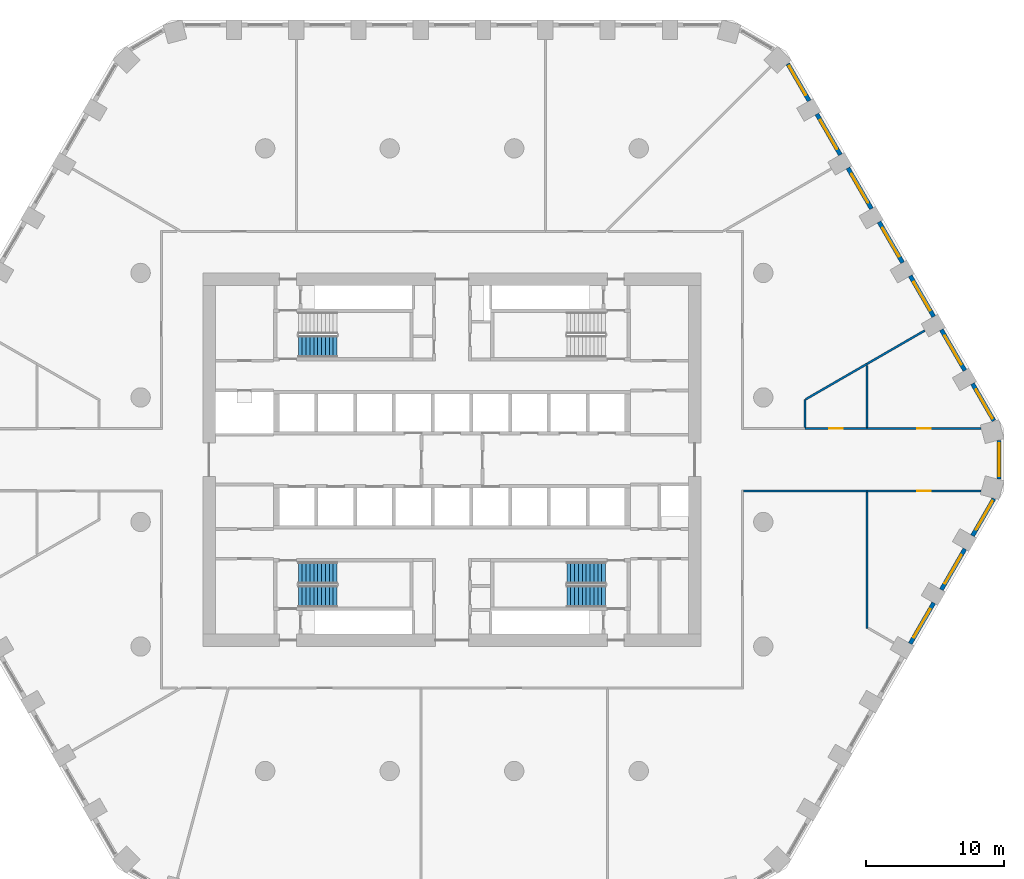
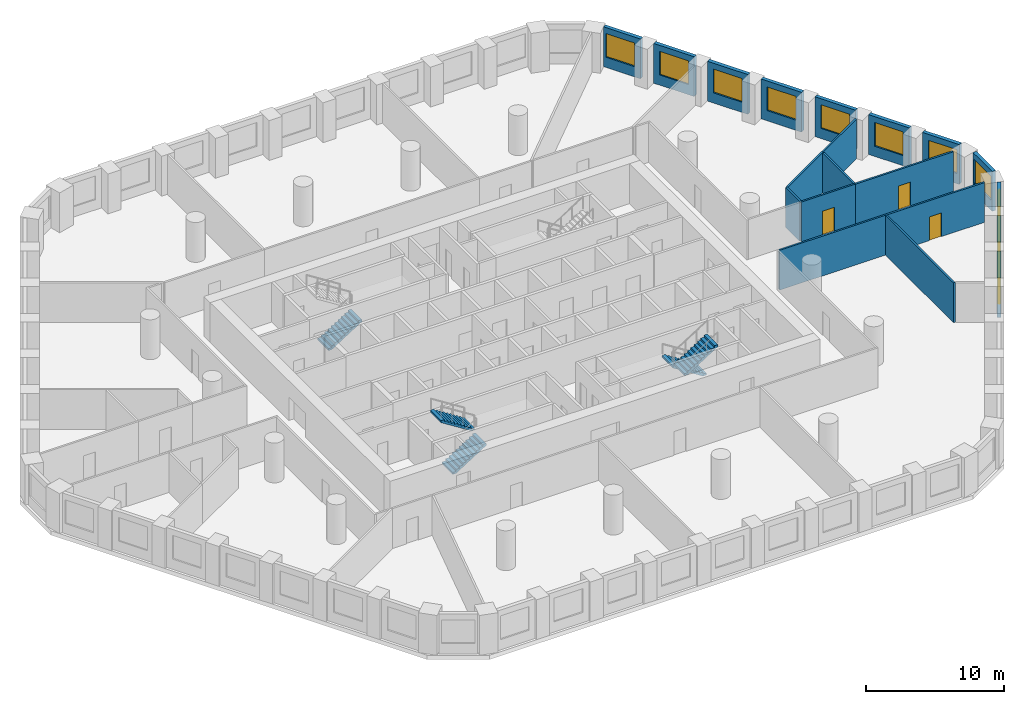
# One storey, part 8 of 10: 20 walls, 11 windows, 5 stair flights, 3 doors, 14 openings, 3 elements without a shape of their own.
"""IFC4 building model written with IfcOpenShell, lengths in metres."""

import ifcopenshell
import ifcopenshell.guid

model = None  # the IFC model being written
_history = None  # IfcOwnerHistory: only IFC2X3 demands one
_inside = {}  # id of a spatial element -> (the spatial element, [elements in it])
_under = {}  # id of a project, library or spatial element -> (it, [spatial elements below it])
_declared = {}  # id of a project -> (the project, [libraries it declares])
_typed = {}  # id of a type object -> (the type object, [elements of that type])
_made_of = {}  # id of a material, layer set ... -> (it, [elements and type objects made of it])


def new_model(schema):
    """Start an empty IFC model of exactly this schema.

    Asked for "IFC4X3", IfcOpenShell would pick the latest addendum, in which some entities
    have other attributes; the version numbers below select the first issue.
    IFC2X3 requires an IfcOwnerHistory on every rooted entity: one is made here for all.
    """
    global model, _history
    if schema == "IFC4X3":
        model = ifcopenshell.file(schema_version=(4, 3, 0, 0))
    else:
        model = ifcopenshell.file(schema=schema)
    _inside.clear()
    _under.clear()
    _declared.clear()
    _typed.clear()
    _made_of.clear()
    _history = None
    if model.schema == "IFC2X3":
        org = make("IfcOrganization", Name="unknown")
        user = make(
            "IfcPersonAndOrganization",
            ThePerson=make("IfcPerson", FamilyName="unknown"),
            TheOrganization=org,
        )
        app = make(
            "IfcApplication",
            ApplicationDeveloper=org,
            Version="unknown",
            ApplicationFullName="unknown",
            ApplicationIdentifier="unknown",
        )
        _history = make(
            "IfcOwnerHistory",
            OwningUser=user,
            OwningApplication=app,
            ChangeAction="ADDED",
            CreationDate=0,
        )
    return model


def make(cls, **values):
    """One entity of the class cls with the attributes given. An attribute that is None is left unset."""
    return model.create_entity(
        cls, **{name: value for name, value in values.items() if value is not None}
    )


def rooted(cls, **values):
    """An entity with a GlobalId (a new one), such as an element, a storey or a relation."""
    return make(cls, GlobalId=ifcopenshell.guid.new(), OwnerHistory=_history, **values)


def si_unit(unit_type, name, prefix=None):
    """IfcSIUnit, for example si_unit("LENGTHUNIT", "METRE", prefix="MILLI")."""
    return make("IfcSIUnit", UnitType=unit_type, Prefix=prefix, Name=name)


def assignment(units):
    """IfcUnitAssignment: the units of a project."""
    return None if units is None else make("IfcUnitAssignment", Units=units)


def point(xyz):
    """IfcCartesianPoint."""
    return None if xyz is None else make("IfcCartesianPoint", Coordinates=xyz)


def direction(xyz):
    """IfcDirection."""
    return None if xyz is None else make("IfcDirection", DirectionRatios=xyz)


def frame(location, z_axis=None, x_axis=None):
    """IfcAxis2Placement3D, a coordinate frame: its origin and axes. An axis left out is left unset."""
    return make(
        "IfcAxis2Placement3D",
        Location=point(location),
        Axis=direction(z_axis),
        RefDirection=direction(x_axis),
    )


def frame_2d(location, x_axis=None):
    """IfcAxis2Placement2D, a coordinate frame in the plane: its origin and x axis."""
    return make(
        "IfcAxis2Placement2D", Location=point(location), RefDirection=direction(x_axis)
    )


def origin():
    """The frame at (0, 0, 0) with its axes left unset."""
    return frame((0.0, 0.0, 0.0))


def place(relative_to, where):
    """IfcLocalPlacement: puts the frame where relative to a parent placement (None: the world)."""
    return make(
        "IfcLocalPlacement", PlacementRelTo=relative_to, RelativePlacement=where
    )


def context(
    kind, dimensions, precision=None, world=None, true_north=None, identifier=None
):
    """IfcGeometricRepresentationContext, for example the 3D "Model" context."""
    return make(
        "IfcGeometricRepresentationContext",
        ContextIdentifier=identifier,
        ContextType=kind,
        CoordinateSpaceDimension=dimensions,
        Precision=precision,
        WorldCoordinateSystem=world,
        TrueNorth=true_north,
    )


def subcontext(parent, identifier, kind, view, scale=None):
    """IfcGeometricRepresentationSubContext, for example "Body" below "Model"."""
    return make(
        "IfcGeometricRepresentationSubContext",
        ContextIdentifier=identifier,
        ContextType=kind,
        ParentContext=parent,
        TargetScale=scale,
        TargetView=view,
    )


def project(units=None, contexts=None):
    """IfcProject with its units and contexts."""
    return rooted(
        "IfcProject",
        Name="project",
        RepresentationContexts=contexts,
        UnitsInContext=assignment(units),
    )


def spatial(cls, under=None, at=None, **own):
    """A site, building, storey or space (cls), placed at a placement, below another one or the project."""
    s = rooted(cls, ObjectPlacement=at, **own)
    if under is not None:
        _under.setdefault(under.id(), (under, []))[1].append(s)
    return s


def polyline(points):
    """IfcPolyline through the points."""
    return make("IfcPolyline", Points=[point(p) for p in points])


def profile(cls, at=None, kind="AREA", **sizes):
    """A parametric profile (cls). Its sizes go by their IFC names, for example OverallWidth=200.0."""
    return make(cls, ProfileType=kind, Position=at, **sizes)


def rectangle(**sizes):
    """IfcRectangleProfileDef."""
    return profile("IfcRectangleProfileDef", **sizes)


def outline(outer, holes=None, kind="AREA"):
    """IfcArbitraryClosedProfileDef: a profile drawn as a closed curve; with holes, ...WithVoids."""
    if holes is None:
        return make("IfcArbitraryClosedProfileDef", ProfileType=kind, OuterCurve=outer)
    return make(
        "IfcArbitraryProfileDefWithVoids",
        ProfileType=kind,
        OuterCurve=outer,
        InnerCurves=holes,
    )


def extrude(swept, where, along, depth):
    """IfcExtrudedAreaSolid: the profile swept, set in the frame where, extruded along a direction by depth."""
    return make(
        "IfcExtrudedAreaSolid",
        SweptArea=swept,
        Position=where,
        ExtrudedDirection=direction(along),
        Depth=depth,
    )


def shape(context_of_items, identifier, shape_type, items):
    """IfcShapeRepresentation: the items that make up one representation, for example the "Body"."""
    return make(
        "IfcShapeRepresentation",
        ContextOfItems=context_of_items,
        RepresentationIdentifier=identifier,
        RepresentationType=shape_type,
        Items=items,
    )


def material(Name=None, Category=None):
    """IfcMaterial."""
    return make("IfcMaterial", Name=Name, Category=Category)


def layer(
    of_material, thickness, ventilated=None, Name=None, Category=None, Priority=None
):
    """IfcMaterialLayer: one layer of a wall or slab, of a material (None: an air gap)."""
    return make(
        "IfcMaterialLayer",
        Material=of_material,
        LayerThickness=thickness,
        IsVentilated=ventilated,
        Name=Name,
        Category=Category,
        Priority=Priority,
    )


def layer_set(layers, Name=None):
    """IfcMaterialLayerSet."""
    return make("IfcMaterialLayerSet", MaterialLayers=layers, LayerSetName=Name)


def made_of(thing, what):
    """Note that an element or type object is made of a material, layer set ...; save() writes the relation."""
    if what is not None:
        _made_of.setdefault(what.id(), (what, []))[1].append(thing)
    return thing


def type_object(cls, material=None, **own):
    """A type object (cls), such as IfcWallType, which elements share."""
    return made_of(rooted(cls, **own), material)


def element(
    cls,
    number,
    at=None,
    inside=None,
    cuts=None,
    type_object=None,
    material=None,
    context=None,
    identifier="Body",
    shape_type=None,
    held_by="IfcProductDefinitionShape",
    body=None,
    shapes=None,
    **own,
):
    """One element of the class cls, such as IfcWall. Its Tag is "e" and its number.

    at: its placement. inside: the storey or other place that contains it. cuts: it is an
    opening in that element (IfcRelVoidsElement). A single representation is given by context,
    identifier, shape_type and body (its items); several are given by shapes. held_by: the class
    of the entity that holds the representations. save() writes the other relations.
    """
    e = rooted(cls, Tag="e%d" % number, ObjectPlacement=at, **own)
    if body is not None:
        shapes = [shape(context, identifier, shape_type, body)]
    if shapes is not None:
        e.Representation = make(held_by, Representations=shapes)
    if inside is not None:
        _inside.setdefault(inside.id(), (inside, []))[1].append(e)
    if cuts is not None:
        rooted(
            "IfcRelVoidsElement", RelatingBuildingElement=cuts, RelatedOpeningElement=e
        )
    if type_object is not None:
        _typed.setdefault(type_object.id(), (type_object, []))[1].append(e)
    return made_of(e, material)


def fill(opening, filler):
    """IfcRelFillsElement: the door or window that sits in an opening."""
    return rooted(
        "IfcRelFillsElement",
        RelatingOpeningElement=opening,
        RelatedBuildingElement=filler,
    )


def aggregate(whole, parts):
    """IfcRelAggregates: a whole, such as a stair, and the parts it consists of."""
    return rooted("IfcRelAggregates", RelatingObject=whole, RelatedObjects=parts)


def save(model, path):
    """Write the relations noted so far, then the file.

    IfcRelAggregates (storeys below a building ...), IfcRelContainedInSpatialStructure (elements
    in a storey), IfcRelDefinesByType, IfcRelAssociatesMaterial and IfcRelDeclares: one each for
    every whole, place, type object, material and project.
    """
    for whole, parts in _under.values():
        aggregate(whole, parts)
    for where, things in _inside.values():
        rooted(
            "IfcRelContainedInSpatialStructure",
            RelatedElements=things,
            RelatingStructure=where,
        )
    for kind, things in _typed.values():
        rooted("IfcRelDefinesByType", RelatedObjects=things, RelatingType=kind)
    for what, things in _made_of.values():
        rooted("IfcRelAssociatesMaterial", RelatedObjects=things, RelatingMaterial=what)
    for by, libraries in _declared.values():
        rooted("IfcRelDeclares", RelatingContext=by, RelatedDefinitions=libraries)
    model.write(path)


model = new_model("IFC4")

# Units and contexts
model_context = context("Model", 3, precision=1e-05, world=origin(), true_north=direction((0.0, 1.0)))
body_context = subcontext(model_context, "Body", "Model", "MODEL_VIEW")
ifc_project = project(units=[si_unit("LENGTHUNIT", "METRE"), si_unit("AREAUNIT", "SQUARE_METRE"), si_unit("VOLUMEUNIT", "CUBIC_METRE"), si_unit("PLANEANGLEUNIT", "RADIAN"), si_unit("MASSUNIT", "GRAM", prefix="KILO")], contexts=[model_context])

# Site, building, storey
site_placement = place(None, origin())
site = spatial("IfcSite", under=ifc_project, at=site_placement, CompositionType="ELEMENT")
building_placement = place(site_placement, origin())
building = spatial("IfcBuilding", under=site, at=building_placement, Name="Dhurran Vertical Campus", CompositionType="ELEMENT")
storey_placement = place(building_placement, frame((0.0, 0.0, 33.89990234375)))
storey = spatial("IfcBuildingStorey", under=building, at=storey_placement, Name="L07", CompositionType="ELEMENT", Elevation=33.89990234375)

# Wall, opening, window
ifc_material_1 = material(Name="Precast concrete C50/60", Category="concrete")
ifc_layer_1 = layer(ifc_material_1, 0.300048828125)
ifc_layer_set_1 = layer_set([ifc_layer_1], Name="Precast concrete C50/60")
wall_type_1 = type_object("IfcWallType", Name="Precast spandrel wall 300", PredefinedType="SOLIDWALL", material=ifc_layer_set_1)
wall_1_placement = place(storey_placement, frame((33.119384765625, -13.28955078125, 0.0), z_axis=(0.0, 0.0, 1.0), x_axis=(0.499993955907, 0.866028893315, 0.0)))
wall_1 = element("IfcWall", 1, at=wall_1_placement, inside=storey, type_object=wall_type_1, Name="EW1 L07.14", PredefinedType="SOLIDWALL", context=body_context, shape_type="SweptSolid", body=[
    extrude(rectangle(XDim=3.39892578125, YDim=0.300048828125, at=frame_2d((1.699462890625, 0.0))), origin(), (0.0, 0.0, 1.0), 3.525146484375),
])
opening_1_placement = place(wall_1_placement, frame((0.49951171875, 0.0, 0.89990234375)))
opening_1 = element("IfcOpeningElement", 2, at=opening_1_placement, cuts=wall_1, Name="Opening WT1", PredefinedType="OPENING", context=body_context, shape_type="SweptSolid", body=[
    extrude(rectangle(XDim=2.39990234375, YDim=2.10009765625, at=frame_2d((1.199951171875, 1.050048828125))), frame((0.0, 0.159912109375, 0.0), z_axis=(0.0, -1.0, 0.0), x_axis=(1.0, 0.0, 0.0)), (0.0, 0.0, 1.0), 0.320068359375),
])
ifc_material_2 = material(Name="Aluminium frame with solar-control glass", Category="aluminium")
window_type = type_object("IfcWindowType", Name="Punched window 2400 x 2100", PartitioningType="SINGLE_PANEL", PredefinedType="WINDOW", material=ifc_material_2)
window_1_placement = place(opening_1_placement, origin())
window_1 = element("IfcWindow", 3, at=window_1_placement, inside=storey, type_object=window_type, Name="WT1 L07.14", OverallHeight=2.10009765625, OverallWidth=2.39990234375, PartitioningType="SINGLE_PANEL", PredefinedType="WINDOW", context=body_context, shape_type="SweptSolid", body=[
    extrude(rectangle(XDim=2.39990234375, YDim=2.10009765625, at=frame_2d((1.199951171875, 1.050048828125))), frame((0.0, 0.030029296875, 0.0), z_axis=(0.0, -1.0, 0.0), x_axis=(1.0, 0.0, 0.0)), (0.0, 0.0, 1.0), 0.06005859375),
])
fill(opening_1, window_1)

wall_2_placement = place(storey_placement, frame((35.369384765625, -9.392578125, 0.0), z_axis=(0.0, 0.0, 1.0), x_axis=(0.499993955907, 0.866028893315, 0.0)))
wall_2 = element("IfcWall", 4, at=wall_2_placement, inside=storey, type_object=wall_type_1, Name="EW1 L07.15", PredefinedType="SOLIDWALL", context=body_context, shape_type="SweptSolid", body=[
    extrude(rectangle(XDim=3.39892578125, YDim=0.300048828125, at=frame_2d((1.699462890625, 0.0))), origin(), (0.0, 0.0, 1.0), 3.525146484375),
])
opening_2_placement = place(wall_2_placement, frame((0.49951171875, 0.0, 0.89990234375)))
opening_2 = element("IfcOpeningElement", 5, at=opening_2_placement, cuts=wall_2, Name="Opening WT1", PredefinedType="OPENING", context=body_context, shape_type="SweptSolid", body=[
    extrude(rectangle(XDim=2.39990234375, YDim=2.10009765625, at=frame_2d((1.199951171875, 1.050048828125))), frame((0.0, 0.159912109375, 0.0), z_axis=(0.0, -1.0, 0.0), x_axis=(1.0, 0.0, 0.0)), (0.0, 0.0, 1.0), 0.320068359375),
])
window_2_placement = place(opening_2_placement, origin())
window_2 = element("IfcWindow", 6, at=window_2_placement, inside=storey, type_object=window_type, Name="WT1 L07.15", OverallHeight=2.10009765625, OverallWidth=2.39990234375, PartitioningType="SINGLE_PANEL", PredefinedType="WINDOW", context=body_context, shape_type="SweptSolid", body=[
    extrude(rectangle(XDim=2.39990234375, YDim=2.10009765625, at=frame_2d((1.199951171875, 1.050048828125))), frame((0.0, 0.030029296875, 0.0), z_axis=(0.0, -1.0, 0.0), x_axis=(1.0, 0.0, 0.0)), (0.0, 0.0, 1.0), 0.06005859375),
])
fill(opening_2, window_2)

wall_3_placement = place(storey_placement, frame((37.619384765625, -5.495361328125, 0.0), z_axis=(0.0, 0.0, 1.0), x_axis=(0.49997090907, 0.866042198789, 0.0)))
wall_3 = element("IfcWall", 7, at=wall_3_placement, inside=storey, type_object=wall_type_1, Name="EW1 L07.16", PredefinedType="SOLIDWALL", context=body_context, shape_type="SweptSolid", body=[
    extrude(rectangle(XDim=3.090576171875, YDim=0.300048828125, at=frame_2d((1.54541015625, 0.0))), origin(), (0.0, 0.0, 1.0), 3.525146484375),
])
opening_3_placement = place(wall_3_placement, frame((0.49951171875, 0.0, 0.89990234375)))
opening_3 = element("IfcOpeningElement", 8, at=opening_3_placement, cuts=wall_3, Name="Opening WT1", PredefinedType="OPENING", context=body_context, shape_type="SweptSolid", body=[
    extrude(rectangle(XDim=2.39990234375, YDim=2.10009765625, at=frame_2d((1.199951171875, 1.050048828125))), frame((0.0, 0.159912109375, 0.0), z_axis=(0.0, -1.0, 0.0), x_axis=(1.0, 0.0, 0.0)), (0.0, 0.0, 1.0), 0.320068359375),
])
window_3_placement = place(opening_3_placement, origin())
window_3 = element("IfcWindow", 9, at=window_3_placement, inside=storey, type_object=window_type, Name="WT1 L07.16", OverallHeight=2.10009765625, OverallWidth=2.39990234375, PartitioningType="SINGLE_PANEL", PredefinedType="WINDOW", context=body_context, shape_type="SweptSolid", body=[
    extrude(rectangle(XDim=2.39990234375, YDim=2.10009765625, at=frame_2d((1.199951171875, 1.050048828125))), frame((0.0, 0.030029296875, 0.0), z_axis=(0.0, -1.0, 0.0), x_axis=(1.0, 0.0, 0.0)), (0.0, 0.0, 1.0), 0.06005859375),
])
fill(opening_3, window_3)

wall_4_placement = place(storey_placement, frame((39.547119140625, -1.39111328125, 0.0), z_axis=(0.0, 0.0, 1.0), x_axis=(0.0, 1.0, 0.0)))
wall_4 = element("IfcWall", 10, at=wall_4_placement, inside=storey, type_object=wall_type_1, Name="EW1 L07.17", PredefinedType="SOLIDWALL", context=body_context, shape_type="SweptSolid", body=[
    extrude(rectangle(XDim=2.7822265625, YDim=0.300048828125, at=frame_2d((1.39111328125, 0.0))), origin(), (0.0, 0.0, 1.0), 3.525146484375),
])
opening_4_placement = place(wall_4_placement, frame((0.191162109375, 0.0, 0.89990234375)))
opening_4 = element("IfcOpeningElement", 11, at=opening_4_placement, cuts=wall_4, Name="Opening WT1", PredefinedType="OPENING", context=body_context, shape_type="SweptSolid", body=[
    extrude(rectangle(XDim=2.39990234375, YDim=2.10009765625, at=frame_2d((1.199951171875, 1.050048828125))), frame((0.0, 0.159912109375, 0.0), z_axis=(0.0, -1.0, 0.0), x_axis=(1.0, 0.0, 0.0)), (0.0, 0.0, 1.0), 0.320068359375),
])
window_4_placement = place(opening_4_placement, origin())
window_4 = element("IfcWindow", 12, at=window_4_placement, inside=storey, type_object=window_type, Name="WT1 L07.17", OverallHeight=2.10009765625, OverallWidth=2.39990234375, PartitioningType="SINGLE_PANEL", PredefinedType="WINDOW", context=body_context, shape_type="SweptSolid", body=[
    extrude(rectangle(XDim=2.39990234375, YDim=2.10009765625, at=frame_2d((1.199951171875, 1.050048828125))), frame((0.0, 0.030029296875, 0.0), z_axis=(0.0, -1.0, 0.0), x_axis=(1.0, 0.0, 0.0)), (0.0, 0.0, 1.0), 0.06005859375),
])
fill(opening_4, window_4)

wall_5_placement = place(storey_placement, frame((39.16455078125, 2.81884765625, 0.0), z_axis=(0.0, 0.0, 1.0), x_axis=(-0.49997090907, 0.866042198789, 0.0)))
wall_5 = element("IfcWall", 13, at=wall_5_placement, inside=storey, type_object=wall_type_1, Name="EW1 L07.18", PredefinedType="SOLIDWALL", context=body_context, shape_type="SweptSolid", body=[
    extrude(rectangle(XDim=3.090576171875, YDim=0.300048828125, at=frame_2d((1.54541015625, 0.0))), origin(), (0.0, 0.0, 1.0), 3.525146484375),
])
opening_5_placement = place(wall_5_placement, frame((0.19091796875, 0.0, 0.89990234375)))
opening_5 = element("IfcOpeningElement", 14, at=opening_5_placement, cuts=wall_5, Name="Opening WT1", PredefinedType="OPENING", context=body_context, shape_type="SweptSolid", body=[
    extrude(rectangle(XDim=2.39990234375, YDim=2.10009765625, at=frame_2d((1.199951171875, 1.050048828125))), frame((0.0, 0.159912109375, 0.0), z_axis=(0.0, -1.0, 0.0), x_axis=(1.0, 0.0, 0.0)), (0.0, 0.0, 1.0), 0.320068359375),
])
window_5_placement = place(opening_5_placement, origin())
window_5 = element("IfcWindow", 15, at=window_5_placement, inside=storey, type_object=window_type, Name="WT1 L07.18", OverallHeight=2.10009765625, OverallWidth=2.39990234375, PartitioningType="SINGLE_PANEL", PredefinedType="WINDOW", context=body_context, shape_type="SweptSolid", body=[
    extrude(rectangle(XDim=2.39990234375, YDim=2.10009765625, at=frame_2d((1.199951171875, 1.050048828125))), frame((0.0, 0.030029296875, 0.0), z_axis=(0.0, -1.0, 0.0), x_axis=(1.0, 0.0, 0.0)), (0.0, 0.0, 1.0), 0.06005859375),
])
fill(opening_5, window_5)

wall_6_placement = place(storey_placement, frame((37.06884765625, 6.448974609375, 0.0), z_axis=(0.0, 0.0, 1.0), x_axis=(-0.499993955907, 0.866028893315, 0.0)))
wall_6 = element("IfcWall", 16, at=wall_6_placement, inside=storey, type_object=wall_type_1, Name="EW1 L07.19", PredefinedType="SOLIDWALL", context=body_context, shape_type="SweptSolid", body=[
    extrude(rectangle(XDim=3.39892578125, YDim=0.300048828125, at=frame_2d((1.699462890625, 0.0))), origin(), (0.0, 0.0, 1.0), 3.525146484375),
])
opening_6_placement = place(wall_6_placement, frame((0.49951171875, 0.0, 0.89990234375)))
opening_6 = element("IfcOpeningElement", 17, at=opening_6_placement, cuts=wall_6, Name="Opening WT1", PredefinedType="OPENING", context=body_context, shape_type="SweptSolid", body=[
    extrude(rectangle(XDim=2.39990234375, YDim=2.10009765625, at=frame_2d((1.199951171875, 1.050048828125))), frame((0.0, 0.159912109375, 0.0), z_axis=(0.0, -1.0, 0.0), x_axis=(1.0, 0.0, 0.0)), (0.0, 0.0, 1.0), 0.320068359375),
])
window_6_placement = place(opening_6_placement, origin())
window_6 = element("IfcWindow", 18, at=window_6_placement, inside=storey, type_object=window_type, Name="WT1 L07.19", OverallHeight=2.10009765625, OverallWidth=2.39990234375, PartitioningType="SINGLE_PANEL", PredefinedType="WINDOW", context=body_context, shape_type="SweptSolid", body=[
    extrude(rectangle(XDim=2.39990234375, YDim=2.10009765625, at=frame_2d((1.199951171875, 1.050048828125))), frame((0.0, 0.030029296875, 0.0), z_axis=(0.0, -1.0, 0.0), x_axis=(1.0, 0.0, 0.0)), (0.0, 0.0, 1.0), 0.06005859375),
])
fill(opening_6, window_6)

wall_7_placement = place(storey_placement, frame((34.81884765625, 10.345947265625, 0.0), z_axis=(0.0, 0.0, 1.0), x_axis=(-0.499993955907, 0.866028893315, 0.0)))
wall_7 = element("IfcWall", 19, at=wall_7_placement, inside=storey, type_object=wall_type_1, Name="EW1 L07.20", PredefinedType="SOLIDWALL", context=body_context, shape_type="SweptSolid", body=[
    extrude(rectangle(XDim=3.39892578125, YDim=0.300048828125, at=frame_2d((1.699462890625, 0.0))), origin(), (0.0, 0.0, 1.0), 3.525146484375),
])
opening_7_placement = place(wall_7_placement, frame((0.49951171875, 0.0, 0.89990234375)))
opening_7 = element("IfcOpeningElement", 20, at=opening_7_placement, cuts=wall_7, Name="Opening WT1", PredefinedType="OPENING", context=body_context, shape_type="SweptSolid", body=[
    extrude(rectangle(XDim=2.39990234375, YDim=2.10009765625, at=frame_2d((1.199951171875, 1.050048828125))), frame((0.0, 0.159912109375, 0.0), z_axis=(0.0, -1.0, 0.0), x_axis=(1.0, 0.0, 0.0)), (0.0, 0.0, 1.0), 0.320068359375),
])
window_7_placement = place(opening_7_placement, origin())
window_7 = element("IfcWindow", 21, at=window_7_placement, inside=storey, type_object=window_type, Name="WT1 L07.20", OverallHeight=2.10009765625, OverallWidth=2.39990234375, PartitioningType="SINGLE_PANEL", PredefinedType="WINDOW", context=body_context, shape_type="SweptSolid", body=[
    extrude(rectangle(XDim=2.39990234375, YDim=2.10009765625, at=frame_2d((1.199951171875, 1.050048828125))), frame((0.0, 0.030029296875, 0.0), z_axis=(0.0, -1.0, 0.0), x_axis=(1.0, 0.0, 0.0)), (0.0, 0.0, 1.0), 0.06005859375),
])
fill(opening_7, window_7)

wall_8_placement = place(storey_placement, frame((32.56884765625, 14.2431640625, 0.0), z_axis=(0.0, 0.0, 1.0), x_axis=(-0.499993955907, 0.866028893315, 0.0)))
wall_8 = element("IfcWall", 22, at=wall_8_placement, inside=storey, type_object=wall_type_1, Name="EW1 L07.21", PredefinedType="SOLIDWALL", context=body_context, shape_type="SweptSolid", body=[
    extrude(rectangle(XDim=3.39892578125, YDim=0.300048828125, at=frame_2d((1.699462890625, 0.0))), origin(), (0.0, 0.0, 1.0), 3.525146484375),
])
opening_8_placement = place(wall_8_placement, frame((0.49951171875, 0.0, 0.89990234375)))
opening_8 = element("IfcOpeningElement", 23, at=opening_8_placement, cuts=wall_8, Name="Opening WT1", PredefinedType="OPENING", context=body_context, shape_type="SweptSolid", body=[
    extrude(rectangle(XDim=2.39990234375, YDim=2.10009765625, at=frame_2d((1.199951171875, 1.050048828125))), frame((0.0, 0.159912109375, 0.0), z_axis=(0.0, -1.0, 0.0), x_axis=(1.0, 0.0, 0.0)), (0.0, 0.0, 1.0), 0.320068359375),
])
window_8_placement = place(opening_8_placement, origin())
window_8 = element("IfcWindow", 24, at=window_8_placement, inside=storey, type_object=window_type, Name="WT1 L07.21", OverallHeight=2.10009765625, OverallWidth=2.39990234375, PartitioningType="SINGLE_PANEL", PredefinedType="WINDOW", context=body_context, shape_type="SweptSolid", body=[
    extrude(rectangle(XDim=2.39990234375, YDim=2.10009765625, at=frame_2d((1.199951171875, 1.050048828125))), frame((0.0, 0.030029296875, 0.0), z_axis=(0.0, -1.0, 0.0), x_axis=(1.0, 0.0, 0.0)), (0.0, 0.0, 1.0), 0.06005859375),
])
fill(opening_8, window_8)

wall_9_placement = place(storey_placement, frame((30.31884765625, 18.14013671875, 0.0), z_axis=(0.0, 0.0, 1.0), x_axis=(-0.499993955907, 0.866028893315, 0.0)))
wall_9 = element("IfcWall", 25, at=wall_9_placement, inside=storey, type_object=wall_type_1, Name="EW1 L07.22", PredefinedType="SOLIDWALL", context=body_context, shape_type="SweptSolid", body=[
    extrude(rectangle(XDim=3.39892578125, YDim=0.300048828125, at=frame_2d((1.699462890625, 0.0))), origin(), (0.0, 0.0, 1.0), 3.525146484375),
])
opening_9_placement = place(wall_9_placement, frame((0.49951171875, 0.0, 0.89990234375)))
opening_9 = element("IfcOpeningElement", 26, at=opening_9_placement, cuts=wall_9, Name="Opening WT1", PredefinedType="OPENING", context=body_context, shape_type="SweptSolid", body=[
    extrude(rectangle(XDim=2.39990234375, YDim=2.10009765625, at=frame_2d((1.199951171875, 1.050048828125))), frame((0.0, 0.159912109375, 0.0), z_axis=(0.0, -1.0, 0.0), x_axis=(1.0, 0.0, 0.0)), (0.0, 0.0, 1.0), 0.320068359375),
])
window_9_placement = place(opening_9_placement, origin())
window_9 = element("IfcWindow", 27, at=window_9_placement, inside=storey, type_object=window_type, Name="WT1 L07.22", OverallHeight=2.10009765625, OverallWidth=2.39990234375, PartitioningType="SINGLE_PANEL", PredefinedType="WINDOW", context=body_context, shape_type="SweptSolid", body=[
    extrude(rectangle(XDim=2.39990234375, YDim=2.10009765625, at=frame_2d((1.199951171875, 1.050048828125))), frame((0.0, 0.030029296875, 0.0), z_axis=(0.0, -1.0, 0.0), x_axis=(1.0, 0.0, 0.0)), (0.0, 0.0, 1.0), 0.06005859375),
])
fill(opening_9, window_9)

wall_10_placement = place(storey_placement, frame((28.06884765625, 22.037353515625, 0.0), z_axis=(0.0, 0.0, 1.0), x_axis=(-0.499993955907, 0.866028893315, 0.0)))
wall_10 = element("IfcWall", 28, at=wall_10_placement, inside=storey, type_object=wall_type_1, Name="EW1 L07.23", PredefinedType="SOLIDWALL", context=body_context, shape_type="SweptSolid", body=[
    extrude(rectangle(XDim=3.39892578125, YDim=0.300048828125, at=frame_2d((1.699462890625, 0.0))), origin(), (0.0, 0.0, 1.0), 3.525146484375),
])
opening_10_placement = place(wall_10_placement, frame((0.49951171875, 0.0, 0.89990234375)))
opening_10 = element("IfcOpeningElement", 29, at=opening_10_placement, cuts=wall_10, Name="Opening WT1", PredefinedType="OPENING", context=body_context, shape_type="SweptSolid", body=[
    extrude(rectangle(XDim=2.39990234375, YDim=2.10009765625, at=frame_2d((1.199951171875, 1.050048828125))), frame((0.0, 0.159912109375, 0.0), z_axis=(0.0, -1.0, 0.0), x_axis=(1.0, 0.0, 0.0)), (0.0, 0.0, 1.0), 0.320068359375),
])
window_10_placement = place(opening_10_placement, origin())
window_10 = element("IfcWindow", 30, at=window_10_placement, inside=storey, type_object=window_type, Name="WT1 L07.23", OverallHeight=2.10009765625, OverallWidth=2.39990234375, PartitioningType="SINGLE_PANEL", PredefinedType="WINDOW", context=body_context, shape_type="SweptSolid", body=[
    extrude(rectangle(XDim=2.39990234375, YDim=2.10009765625, at=frame_2d((1.199951171875, 1.050048828125))), frame((0.0, 0.030029296875, 0.0), z_axis=(0.0, -1.0, 0.0), x_axis=(1.0, 0.0, 0.0)), (0.0, 0.0, 1.0), 0.06005859375),
])
fill(opening_10, window_10)

wall_11_placement = place(storey_placement, frame((25.81884765625, 25.934326171875, 0.0), z_axis=(0.0, 0.0, 1.0), x_axis=(-0.499995950774, 0.866027741594, 0.0)))
wall_11 = element("IfcWall", 31, at=wall_11_placement, inside=storey, type_object=wall_type_1, Name="EW1 L07.24", PredefinedType="SOLIDWALL", context=body_context, shape_type="SweptSolid", body=[
    extrude(rectangle(XDim=3.0908203125, YDim=0.300048828125, at=frame_2d((1.54541015625, 0.0))), origin(), (0.0, 0.0, 1.0), 3.525146484375),
])
opening_11_placement = place(wall_11_placement, frame((0.49951171875, 0.0, 0.89990234375)))
opening_11 = element("IfcOpeningElement", 32, at=opening_11_placement, cuts=wall_11, Name="Opening WT1", PredefinedType="OPENING", context=body_context, shape_type="SweptSolid", body=[
    extrude(rectangle(XDim=2.39990234375, YDim=2.10009765625, at=frame_2d((1.199951171875, 1.050048828125))), frame((0.0, 0.159912109375, 0.0), z_axis=(0.0, -1.0, 0.0), x_axis=(1.0, 0.0, 0.0)), (0.0, 0.0, 1.0), 0.320068359375),
])
window_11_placement = place(opening_11_placement, origin())
window_11 = element("IfcWindow", 33, at=window_11_placement, inside=storey, type_object=window_type, Name="WT1 L07.24", OverallHeight=2.10009765625, OverallWidth=2.39990234375, PartitioningType="SINGLE_PANEL", PredefinedType="WINDOW", context=body_context, shape_type="SweptSolid", body=[
    extrude(rectangle(XDim=2.39990234375, YDim=2.10009765625, at=frame_2d((1.199951171875, 1.050048828125))), frame((0.0, 0.030029296875, 0.0), z_axis=(0.0, -1.0, 0.0), x_axis=(1.0, 0.0, 0.0)), (0.0, 0.0, 1.0), 0.06005859375),
])
fill(opening_11, window_11)

# Wall
ifc_material_3 = material(Name="Gypsum board corridor wall on steel studs", Category="steel")
ifc_layer_2 = layer(ifc_material_3, 0.14990234375)
ifc_layer_set_2 = layer_set([ifc_layer_2], Name="Gypsum board corridor wall on steel studs")
wall_type_2 = type_object("IfcWallType", Name="fl-CW-150 corridor wall", PredefinedType="PARTITIONING", material=ifc_layer_set_2)
wall_12_placement = place(storey_placement, frame((30.0, -2.25, 0.0), z_axis=(0.0, 0.0, 1.0), x_axis=(-1.0, 0.0, 0.0)))
element("IfcWall", 34, at=wall_12_placement, inside=storey, type_object=wall_type_2, Name="Partition 07-38", PredefinedType="PARTITIONING", context=body_context, shape_type="SweptSolid", body=[
    extrude(rectangle(XDim=8.925048828125, YDim=0.14990234375, at=frame_2d((4.46240234375, 0.0))), origin(), (0.0, 0.0, 1.0), 3.525146484375),
])

# Wall, opening, door
wall_13_placement = place(storey_placement, frame((25.5, 2.25, 0.0), z_axis=(0.0, 0.0, 1.0), x_axis=(1.0, 0.0, 0.0)))
wall_13 = element("IfcWall", 35, at=wall_13_placement, inside=storey, type_object=wall_type_2, Name="Partition 07-42", PredefinedType="PARTITIONING", context=body_context, shape_type="SweptSolid", body=[
    extrude(rectangle(XDim=4.5, YDim=0.14990234375, at=frame_2d((2.25, 0.0))), origin(), (0.0, 0.0, 1.0), 3.525146484375),
])
opening_12_placement = place(wall_13_placement, frame((1.75, 0.0, 0.0)))
opening_12 = element("IfcOpeningElement", 36, at=opening_12_placement, cuts=wall_13, Name="Opening T01.16", PredefinedType="OPENING", context=body_context, shape_type="SweptSolid", body=[
    extrude(rectangle(XDim=1.0, YDim=2.10009765625, at=frame_2d((0.5, 1.050048828125))), frame((0.0, 0.0849609375, 0.0), z_axis=(0.0, -1.0, 0.0), x_axis=(1.0, 0.0, 0.0)), (0.0, 0.0, 1.0), 0.169921875),
])
ifc_material_4 = material(Name="Solid-core timber door set, fire-rated", Category="wood")
door_type = type_object("IfcDoorType", Name="fl-D-1000x2100", OperationType="SINGLE_SWING_LEFT", PredefinedType="DOOR", material=ifc_material_4)
door_1_placement = place(opening_12_placement, origin())
door_1 = element("IfcDoor", 37, at=door_1_placement, inside=storey, type_object=door_type, Name="Door 07.16", OperationType="SINGLE_SWING_RIGHT", OverallHeight=2.10009765625, OverallWidth=1.0, PredefinedType="DOOR", context=body_context, shape_type="SweptSolid", body=[
    extrude(rectangle(XDim=1.0, YDim=2.10009765625, at=frame_2d((0.5, 1.050048828125))), frame((0.0, 0.02490234375, 0.0), z_axis=(0.0, -1.0, 0.0), x_axis=(1.0, 0.0, 0.0)), (0.0, 0.0, 1.0), 0.050048828125),
])
fill(opening_12, door_1)

wall_14_placement = place(storey_placement, frame((38.23291015625, -2.25, 0.0), z_axis=(0.0, 0.0, 1.0), x_axis=(-1.0, 0.0, 0.0)))
wall_14 = element("IfcWall", 38, at=wall_14_placement, inside=storey, type_object=wall_type_2, Name="Partition 07-46", PredefinedType="PARTITIONING", context=body_context, shape_type="SweptSolid", body=[
    extrude(rectangle(XDim=8.23291015625, YDim=0.14990234375, at=frame_2d((4.116455078125, 0.0))), origin(), (0.0, 0.0, 1.0), 3.525146484375),
])
opening_13_placement = place(wall_14_placement, frame((3.616455078125, 0.0, 0.0)))
opening_13 = element("IfcOpeningElement", 39, at=opening_13_placement, cuts=wall_14, Name="Opening T01.17", PredefinedType="OPENING", context=body_context, shape_type="SweptSolid", body=[
    extrude(rectangle(XDim=1.0, YDim=2.10009765625, at=frame_2d((0.5, 1.050048828125))), frame((0.0, 0.0849609375, 0.0), z_axis=(0.0, -1.0, 0.0), x_axis=(1.0, 0.0, 0.0)), (0.0, 0.0, 1.0), 0.169921875),
])
door_2_placement = place(opening_13_placement, origin())
door_2 = element("IfcDoor", 40, at=door_2_placement, inside=storey, type_object=door_type, Name="Door 07.17", OperationType="SINGLE_SWING_LEFT", OverallHeight=2.10009765625, OverallWidth=1.0, PredefinedType="DOOR", context=body_context, shape_type="SweptSolid", body=[
    extrude(rectangle(XDim=1.0, YDim=2.10009765625, at=frame_2d((0.5, 1.050048828125))), frame((0.0, 0.02490234375, 0.0), z_axis=(0.0, -1.0, 0.0), x_axis=(1.0, 0.0, 0.0)), (0.0, 0.0, 1.0), 0.050048828125),
])
fill(opening_13, door_2)

wall_15_placement = place(storey_placement, frame((30.0, 2.25, 0.0), z_axis=(0.0, 0.0, 1.0), x_axis=(1.0, 0.0, 0.0)))
wall_15 = element("IfcWall", 41, at=wall_15_placement, inside=storey, type_object=wall_type_2, Name="Partition 07-48", PredefinedType="PARTITIONING", context=body_context, shape_type="SweptSolid", body=[
    extrude(rectangle(XDim=8.23291015625, YDim=0.14990234375, at=frame_2d((4.116455078125, 0.0))), origin(), (0.0, 0.0, 1.0), 3.525146484375),
])
opening_14_placement = place(wall_15_placement, frame((3.616455078125, 0.0, 0.0)))
opening_14 = element("IfcOpeningElement", 42, at=opening_14_placement, cuts=wall_15, Name="Opening T01.18", PredefinedType="OPENING", context=body_context, shape_type="SweptSolid", body=[
    extrude(rectangle(XDim=1.0, YDim=2.10009765625, at=frame_2d((0.5, 1.050048828125))), frame((0.0, 0.0849609375, 0.0), z_axis=(0.0, -1.0, 0.0), x_axis=(1.0, 0.0, 0.0)), (0.0, 0.0, 1.0), 0.169921875),
])
door_3_placement = place(opening_14_placement, origin())
door_3 = element("IfcDoor", 43, at=door_3_placement, inside=storey, type_object=door_type, Name="Door 07.18", OperationType="SINGLE_SWING_RIGHT", OverallHeight=2.10009765625, OverallWidth=1.0, PredefinedType="DOOR", context=body_context, shape_type="SweptSolid", body=[
    extrude(rectangle(XDim=1.0, YDim=2.10009765625, at=frame_2d((0.5, 1.050048828125))), frame((0.0, 0.02490234375, 0.0), z_axis=(0.0, -1.0, 0.0), x_axis=(1.0, 0.0, 0.0)), (0.0, 0.0, 1.0), 0.050048828125),
])
fill(opening_14, door_3)

# Walls
ifc_material_5 = material(Name="Gypsum board partition on steel studs", Category="steel")
ifc_layer_3 = layer(ifc_material_5, 0.14990234375)
ifc_layer_set_3 = layer_set([ifc_layer_3], Name="Gypsum board partition on steel studs")
wall_type_3 = type_object("IfcWallType", Name="fl-PW-150 fixed partition", PredefinedType="PARTITIONING", material=ifc_layer_set_3)
wall_16_placement = place(storey_placement, frame((25.5, 4.35498046875, 0.0), z_axis=(0.0, 0.0, 1.0), x_axis=(0.0, -1.0, 0.0)))
element("IfcWall", 44, at=wall_16_placement, inside=storey, type_object=wall_type_3, Name="Partition 07-41", PredefinedType="PARTITIONING", context=body_context, shape_type="SweptSolid", body=[
    extrude(rectangle(XDim=2.030029296875, YDim=0.14990234375, at=frame_2d((1.01513671875, 0.0))), origin(), (0.0, 0.0, 1.0), 3.525146484375),
])
wall_17_placement = place(storey_placement, frame((30.0, 6.927978515625, 0.0), z_axis=(0.0, 0.0, 1.0), x_axis=(-0.866028396804, -0.499994815902, 0.0)))
element("IfcWall", 45, at=wall_17_placement, inside=storey, type_object=wall_type_3, Name="Partition 07-43", PredefinedType="PARTITIONING", context=body_context, shape_type="SweptSolid", body=[
    extrude(rectangle(XDim=5.12109375, YDim=0.14990234375, at=frame_2d((2.560546875, 0.0))), origin(), (0.0, 0.0, 1.0), 3.525146484375),
])
wall_18_placement = place(storey_placement, frame((30.0, -2.324951171875, 0.0), z_axis=(0.0, 0.0, 1.0), x_axis=(0.0, -1.0, 0.0)))
element("IfcWall", 46, at=wall_18_placement, inside=storey, type_object=wall_type_3, Name="Partition 07-44", PredefinedType="PARTITIONING", context=body_context, shape_type="SweptSolid", body=[
    extrude(rectangle(XDim=9.8740234375, YDim=0.14990234375, at=frame_2d((4.93701171875, 0.0))), origin(), (0.0, 0.0, 1.0), 3.525146484375),
])
wall_19_placement = place(storey_placement, frame((30.0, 6.798095703125, 0.0), z_axis=(0.0, 0.0, 1.0), x_axis=(0.0, -1.0, 0.0)))
element("IfcWall", 47, at=wall_19_placement, inside=storey, type_object=wall_type_3, Name="Partition 07-47", PredefinedType="PARTITIONING", context=body_context, shape_type="SweptSolid", body=[
    extrude(rectangle(XDim=4.47314453125, YDim=0.14990234375, at=frame_2d((2.236572265625, 0.0))), origin(), (0.0, 0.0, 1.0), 3.525146484375),
])
wall_20_placement = place(storey_placement, frame((34.16748046875, 9.334228515625, 0.0), z_axis=(0.0, 0.0, 1.0), x_axis=(-0.866011543723, -0.500024005562, 0.0)))
element("IfcWall", 48, at=wall_20_placement, inside=storey, type_object=wall_type_3, Name="Partition 07-49", PredefinedType="PARTITIONING", context=body_context, shape_type="SweptSolid", body=[
    extrude(rectangle(XDim=4.812255859375, YDim=0.14990234375, at=frame_2d((2.40625, 0.0))), origin(), (0.0, 0.0, 1.0), 3.525146484375),
])

# Stair, stair flight
ifc_material_6 = material(Name="Concrete C40/50", Category="concrete")
stair_type = type_object("IfcStairType", Name="co-ST-CORE", PredefinedType="HALF_TURN_STAIR", material=ifc_material_6)
stair_1_placement = place(storey_placement, origin())
stair_1 = element("IfcStair", 49, at=stair_1_placement, inside=storey, type_object=stair_type, Name="L07 Protected exit stair ST1", PredefinedType="HALF_TURN_STAIR")
ifc_material_7 = material(Name="Concrete C40/50", Category="concrete")
stair_flight_type = type_object("IfcStairFlightType", Name="co-SFL-RC", PredefinedType="STRAIGHT", material=ifc_material_7)
stair_flight_1_placement = place(storey_placement, frame((-11.10009765625, 8.175048828125, 0.0), z_axis=(0.0, 0.0, 1.0), x_axis=(1.0, 0.0, 0.0)))
stair_flight_1 = element("IfcStairFlight", 50, at=stair_flight_1_placement, type_object=stair_flight_type, Name="ST1 flight 1", NumberOfRisers=11, NumberOfTreads=10, PredefinedType="STRAIGHT", RiserHeight=0.177272727, TreadLength=0.28, context=body_context, shape_type="SweptSolid", body=[
    extrude(outline(polyline([(0.0, 0.0), (0.0, 0.17724609375), (0.280029296875, 0.17724609375), (0.280029296875, 0.3544921875), (0.56005859375, 0.3544921875), (0.56005859375, 0.53173828125), (0.840087890625, 0.53173828125), (0.840087890625, 0.708984375), (1.1201171875, 0.708984375), (1.1201171875, 0.886474609375), (1.39990234375, 0.886474609375), (1.39990234375, 1.063720703125), (1.679931640625, 1.063720703125), (1.679931640625, 1.240966796875), (1.9599609375, 1.240966796875), (1.9599609375, 1.418212890625), (2.239990234375, 1.418212890625), (2.239990234375, 1.595458984375), (2.52001953125, 1.595458984375), (2.52001953125, 1.772705078125), (2.800048828125, 1.772705078125), (2.800048828125, 1.949951171875), (2.800048828125, 1.59521484375), (0.2802734375, 0.0), (0.0, 0.0)])), frame((0.0, 0.77490234375, 0.0), z_axis=(0.0, -1.0, 0.0), x_axis=(1.0, 0.0, 0.0)), (0.0, 0.0, 1.0), 1.550048828125),
])
aggregate(stair_1, [stair_flight_1])

# Stair, stair flights
stair_2_placement = place(storey_placement, origin())
stair_2 = element("IfcStair", 51, at=stair_2_placement, inside=storey, type_object=stair_type, Name="L07 Protected exit stair ST3", PredefinedType="HALF_TURN_STAIR")
stair_flight_2_placement = place(storey_placement, frame((-11.10009765625, -9.875, 0.0), z_axis=(0.0, 0.0, 1.0), x_axis=(1.0, 0.0, 0.0)))
stair_flight_2 = element("IfcStairFlight", 52, at=stair_flight_2_placement, type_object=stair_flight_type, Name="ST3 flight 1", NumberOfRisers=11, NumberOfTreads=10, PredefinedType="STRAIGHT", RiserHeight=0.177272727, TreadLength=0.28, context=body_context, shape_type="SweptSolid", body=[
    extrude(outline(polyline([(0.0, 0.0), (0.0, 0.17724609375), (0.280029296875, 0.17724609375), (0.280029296875, 0.3544921875), (0.56005859375, 0.3544921875), (0.56005859375, 0.53173828125), (0.840087890625, 0.53173828125), (0.840087890625, 0.708984375), (1.1201171875, 0.708984375), (1.1201171875, 0.886474609375), (1.39990234375, 0.886474609375), (1.39990234375, 1.063720703125), (1.679931640625, 1.063720703125), (1.679931640625, 1.240966796875), (1.9599609375, 1.240966796875), (1.9599609375, 1.418212890625), (2.239990234375, 1.418212890625), (2.239990234375, 1.595458984375), (2.52001953125, 1.595458984375), (2.52001953125, 1.772705078125), (2.800048828125, 1.772705078125), (2.800048828125, 1.949951171875), (2.800048828125, 1.59521484375), (0.2802734375, 0.0), (0.0, 0.0)])), frame((0.0, 0.77490234375, 0.0), z_axis=(0.0, -1.0, 0.0), x_axis=(1.0, 0.0, 0.0)), (0.0, 0.0, 1.0), 1.550048828125),
])
stair_flight_3_placement = place(storey_placement, frame((-8.300048828125, -8.175048828125, 1.9501953125), z_axis=(0.0, 0.0, 1.0), x_axis=(-1.0, 0.0, 0.0)))
stair_flight_3 = element("IfcStairFlight", 53, at=stair_flight_3_placement, type_object=stair_flight_type, Name="ST3 flight 2", NumberOfRisers=11, NumberOfTreads=10, PredefinedType="STRAIGHT", RiserHeight=0.177272727, TreadLength=0.28, context=body_context, shape_type="SweptSolid", body=[
    extrude(outline(polyline([(0.0, 0.0), (0.0, 0.17724609375), (0.280029296875, 0.17724609375), (0.280029296875, 0.3544921875), (0.56005859375, 0.3544921875), (0.56005859375, 0.53173828125), (0.840087890625, 0.53173828125), (0.840087890625, 0.708984375), (1.1201171875, 0.708984375), (1.1201171875, 0.886474609375), (1.39990234375, 0.886474609375), (1.39990234375, 1.063720703125), (1.679931640625, 1.063720703125), (1.679931640625, 1.240966796875), (1.9599609375, 1.240966796875), (1.9599609375, 1.418212890625), (2.239990234375, 1.418212890625), (2.239990234375, 1.595458984375), (2.52001953125, 1.595458984375), (2.52001953125, 1.772705078125), (2.800048828125, 1.772705078125), (2.800048828125, 1.949951171875), (2.800048828125, 1.59521484375), (0.2802734375, 0.0), (0.0, 0.0)])), frame((0.0, 0.77490234375, 0.0), z_axis=(0.0, -1.0, 0.0), x_axis=(1.0, 0.0, 0.0)), (0.0, 0.0, 1.0), 1.550048828125),
])
aggregate(stair_2, [stair_flight_2, stair_flight_3])

stair_3_placement = place(storey_placement, origin())
stair_3 = element("IfcStair", 54, at=stair_3_placement, inside=storey, type_object=stair_type, Name="L07 Protected exit stair ST4", PredefinedType="HALF_TURN_STAIR")
stair_flight_4_placement = place(storey_placement, frame((11.10009765625, -8.175048828125, 0.0), z_axis=(0.0, 0.0, 1.0), x_axis=(-1.0, 0.0, 0.0)))
stair_flight_4 = element("IfcStairFlight", 55, at=stair_flight_4_placement, type_object=stair_flight_type, Name="ST4 flight 1", NumberOfRisers=11, NumberOfTreads=10, PredefinedType="STRAIGHT", RiserHeight=0.177272727, TreadLength=0.28, context=body_context, shape_type="SweptSolid", body=[
    extrude(outline(polyline([(0.0, 0.0), (0.0, 0.17724609375), (0.280029296875, 0.17724609375), (0.280029296875, 0.3544921875), (0.56005859375, 0.3544921875), (0.56005859375, 0.53173828125), (0.840087890625, 0.53173828125), (0.840087890625, 0.708984375), (1.1201171875, 0.708984375), (1.1201171875, 0.886474609375), (1.39990234375, 0.886474609375), (1.39990234375, 1.063720703125), (1.679931640625, 1.063720703125), (1.679931640625, 1.240966796875), (1.9599609375, 1.240966796875), (1.9599609375, 1.418212890625), (2.239990234375, 1.418212890625), (2.239990234375, 1.595458984375), (2.52001953125, 1.595458984375), (2.52001953125, 1.772705078125), (2.800048828125, 1.772705078125), (2.800048828125, 1.949951171875), (2.800048828125, 1.59521484375), (0.2802734375, 0.0), (0.0, 0.0)])), frame((0.0, 0.77490234375, 0.0), z_axis=(0.0, -1.0, 0.0), x_axis=(1.0, 0.0, 0.0)), (0.0, 0.0, 1.0), 1.550048828125),
])
stair_flight_5_placement = place(storey_placement, frame((8.300048828125, -9.875, 1.9501953125), z_axis=(0.0, 0.0, 1.0), x_axis=(1.0, 0.0, 0.0)))
stair_flight_5 = element("IfcStairFlight", 56, at=stair_flight_5_placement, type_object=stair_flight_type, Name="ST4 flight 2", NumberOfRisers=11, NumberOfTreads=10, PredefinedType="STRAIGHT", RiserHeight=0.177272727, TreadLength=0.28, context=body_context, shape_type="SweptSolid", body=[
    extrude(outline(polyline([(0.0, 0.0), (0.0, 0.17724609375), (0.280029296875, 0.17724609375), (0.280029296875, 0.3544921875), (0.56005859375, 0.3544921875), (0.56005859375, 0.53173828125), (0.840087890625, 0.53173828125), (0.840087890625, 0.708984375), (1.1201171875, 0.708984375), (1.1201171875, 0.886474609375), (1.39990234375, 0.886474609375), (1.39990234375, 1.063720703125), (1.679931640625, 1.063720703125), (1.679931640625, 1.240966796875), (1.9599609375, 1.240966796875), (1.9599609375, 1.418212890625), (2.239990234375, 1.418212890625), (2.239990234375, 1.595458984375), (2.52001953125, 1.595458984375), (2.52001953125, 1.772705078125), (2.800048828125, 1.772705078125), (2.800048828125, 1.949951171875), (2.800048828125, 1.59521484375), (0.2802734375, 0.0), (0.0, 0.0)])), frame((0.0, 0.77490234375, 0.0), z_axis=(0.0, -1.0, 0.0), x_axis=(1.0, 0.0, 0.0)), (0.0, 0.0, 1.0), 1.550048828125),
])
aggregate(stair_3, [stair_flight_4, stair_flight_5])

save(model, "model.ifc")
